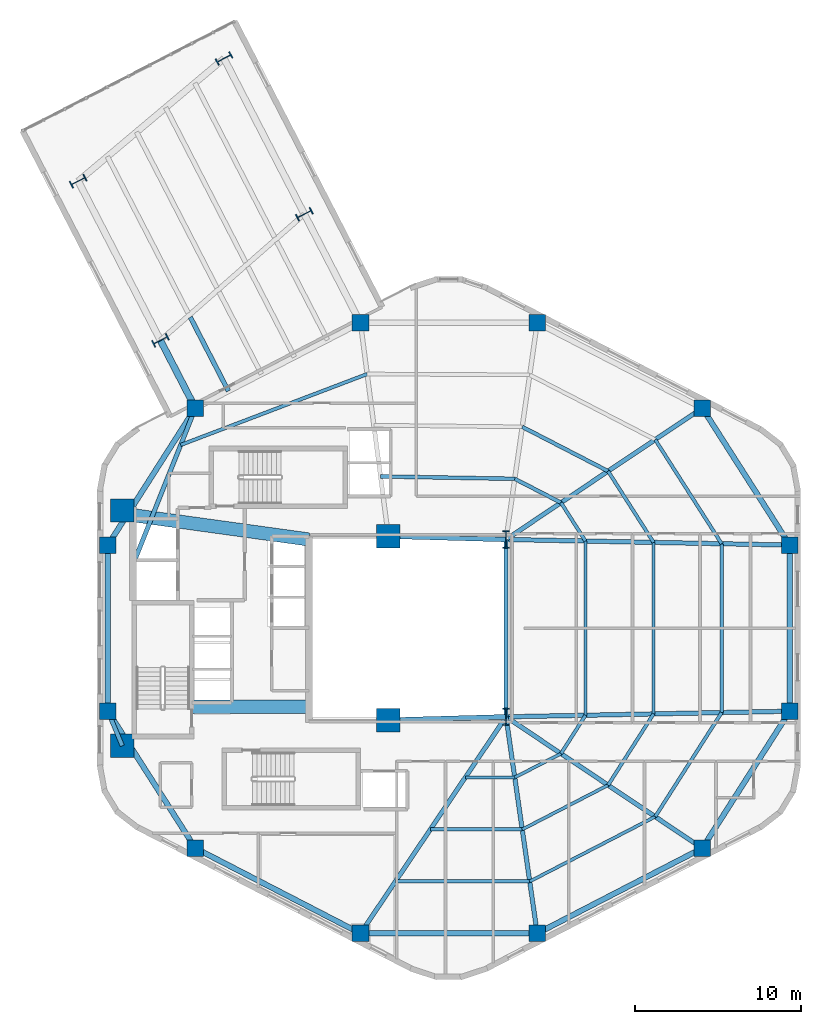
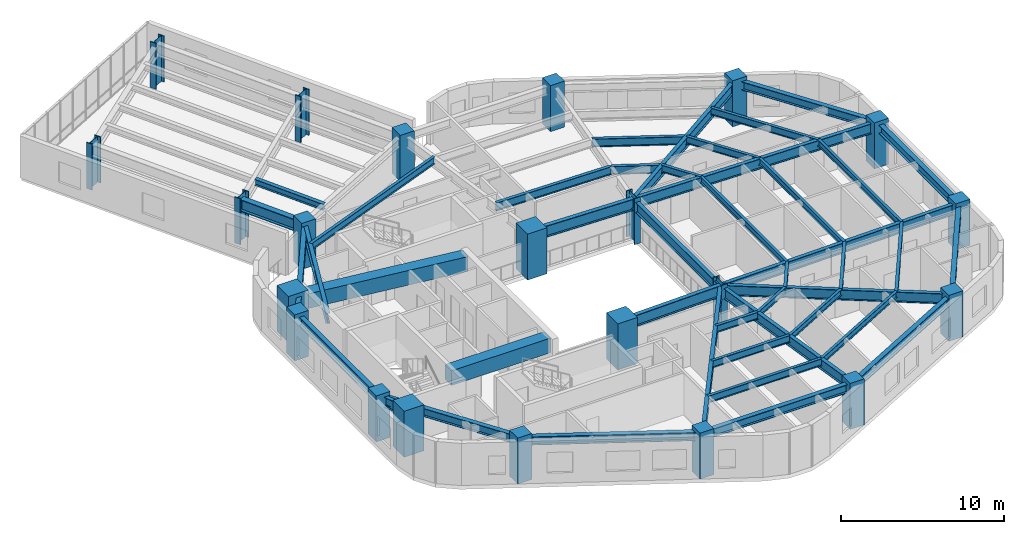
# One storey, part 1 of 10: 43 beams, 22 columns.
"""IFC4 building model written with IfcOpenShell, lengths in metres."""

import ifcopenshell
import ifcopenshell.guid

model = None  # the IFC model being written
_history = None  # IfcOwnerHistory: only IFC2X3 demands one
_inside = {}  # id of a spatial element -> (the spatial element, [elements in it])
_under = {}  # id of a project, library or spatial element -> (it, [spatial elements below it])
_declared = {}  # id of a project -> (the project, [libraries it declares])
_typed = {}  # id of a type object -> (the type object, [elements of that type])
_made_of = {}  # id of a material, layer set ... -> (it, [elements and type objects made of it])


def new_model(schema):
    """Start an empty IFC model of exactly this schema.

    Asked for "IFC4X3", IfcOpenShell would pick the latest addendum, in which some entities
    have other attributes; the version numbers below select the first issue.
    IFC2X3 requires an IfcOwnerHistory on every rooted entity: one is made here for all.
    """
    global model, _history
    if schema == "IFC4X3":
        model = ifcopenshell.file(schema_version=(4, 3, 0, 0))
    else:
        model = ifcopenshell.file(schema=schema)
    _inside.clear()
    _under.clear()
    _declared.clear()
    _typed.clear()
    _made_of.clear()
    _history = None
    if model.schema == "IFC2X3":
        org = make("IfcOrganization", Name="unknown")
        user = make(
            "IfcPersonAndOrganization",
            ThePerson=make("IfcPerson", FamilyName="unknown"),
            TheOrganization=org,
        )
        app = make(
            "IfcApplication",
            ApplicationDeveloper=org,
            Version="unknown",
            ApplicationFullName="unknown",
            ApplicationIdentifier="unknown",
        )
        _history = make(
            "IfcOwnerHistory",
            OwningUser=user,
            OwningApplication=app,
            ChangeAction="ADDED",
            CreationDate=0,
        )
    return model


def make(cls, **values):
    """One entity of the class cls with the attributes given. An attribute that is None is left unset."""
    return model.create_entity(
        cls, **{name: value for name, value in values.items() if value is not None}
    )


def rooted(cls, **values):
    """An entity with a GlobalId (a new one), such as an element, a storey or a relation."""
    return make(cls, GlobalId=ifcopenshell.guid.new(), OwnerHistory=_history, **values)


def si_unit(unit_type, name, prefix=None):
    """IfcSIUnit, for example si_unit("LENGTHUNIT", "METRE", prefix="MILLI")."""
    return make("IfcSIUnit", UnitType=unit_type, Prefix=prefix, Name=name)


def assignment(units):
    """IfcUnitAssignment: the units of a project."""
    return None if units is None else make("IfcUnitAssignment", Units=units)


def point(xyz):
    """IfcCartesianPoint."""
    return None if xyz is None else make("IfcCartesianPoint", Coordinates=xyz)


def direction(xyz):
    """IfcDirection."""
    return None if xyz is None else make("IfcDirection", DirectionRatios=xyz)


def frame(location, z_axis=None, x_axis=None):
    """IfcAxis2Placement3D, a coordinate frame: its origin and axes. An axis left out is left unset."""
    return make(
        "IfcAxis2Placement3D",
        Location=point(location),
        Axis=direction(z_axis),
        RefDirection=direction(x_axis),
    )


def frame_2d(location, x_axis=None):
    """IfcAxis2Placement2D, a coordinate frame in the plane: its origin and x axis."""
    return make(
        "IfcAxis2Placement2D", Location=point(location), RefDirection=direction(x_axis)
    )


def origin():
    """The frame at (0, 0, 0) with its axes left unset."""
    return frame((0.0, 0.0, 0.0))


def origin_2d():
    """The frame at (0, 0) in the plane with its x axis left unset."""
    return frame_2d((0.0, 0.0))


def place(relative_to, where):
    """IfcLocalPlacement: puts the frame where relative to a parent placement (None: the world)."""
    return make(
        "IfcLocalPlacement", PlacementRelTo=relative_to, RelativePlacement=where
    )


def context(
    kind, dimensions, precision=None, world=None, true_north=None, identifier=None
):
    """IfcGeometricRepresentationContext, for example the 3D "Model" context."""
    return make(
        "IfcGeometricRepresentationContext",
        ContextIdentifier=identifier,
        ContextType=kind,
        CoordinateSpaceDimension=dimensions,
        Precision=precision,
        WorldCoordinateSystem=world,
        TrueNorth=true_north,
    )


def subcontext(parent, identifier, kind, view, scale=None):
    """IfcGeometricRepresentationSubContext, for example "Body" below "Model"."""
    return make(
        "IfcGeometricRepresentationSubContext",
        ContextIdentifier=identifier,
        ContextType=kind,
        ParentContext=parent,
        TargetScale=scale,
        TargetView=view,
    )


def project(units=None, contexts=None):
    """IfcProject with its units and contexts."""
    return rooted(
        "IfcProject",
        Name="project",
        RepresentationContexts=contexts,
        UnitsInContext=assignment(units),
    )


def spatial(cls, under=None, at=None, **own):
    """A site, building, storey or space (cls), placed at a placement, below another one or the project."""
    s = rooted(cls, ObjectPlacement=at, **own)
    if under is not None:
        _under.setdefault(under.id(), (under, []))[1].append(s)
    return s


def profile(cls, at=None, kind="AREA", **sizes):
    """A parametric profile (cls). Its sizes go by their IFC names, for example OverallWidth=200.0."""
    return make(cls, ProfileType=kind, Position=at, **sizes)


def rectangle(**sizes):
    """IfcRectangleProfileDef."""
    return profile("IfcRectangleProfileDef", **sizes)


def i_section(**sizes):
    """IfcIShapeProfileDef."""
    return profile("IfcIShapeProfileDef", **sizes)


def extrude(swept, where, along, depth):
    """IfcExtrudedAreaSolid: the profile swept, set in the frame where, extruded along a direction by depth."""
    return make(
        "IfcExtrudedAreaSolid",
        SweptArea=swept,
        Position=where,
        ExtrudedDirection=direction(along),
        Depth=depth,
    )


def shape(context_of_items, identifier, shape_type, items):
    """IfcShapeRepresentation: the items that make up one representation, for example the "Body"."""
    return make(
        "IfcShapeRepresentation",
        ContextOfItems=context_of_items,
        RepresentationIdentifier=identifier,
        RepresentationType=shape_type,
        Items=items,
    )


def material(Name=None, Category=None):
    """IfcMaterial."""
    return make("IfcMaterial", Name=Name, Category=Category)


def material_profile(
    of_material, cross_section, Name=None, Category=None, Priority=None
):
    """IfcMaterialProfile: a cross section and its material."""
    return make(
        "IfcMaterialProfile",
        Name=Name,
        Material=of_material,
        Profile=cross_section,
        Priority=Priority,
        Category=Category,
    )


def profile_set(profiles, Name=None, composite=None):
    """IfcMaterialProfileSet."""
    return make(
        "IfcMaterialProfileSet",
        Name=Name,
        MaterialProfiles=profiles,
        CompositeProfile=composite,
    )


def made_of(thing, what):
    """Note that an element or type object is made of a material, layer set ...; save() writes the relation."""
    if what is not None:
        _made_of.setdefault(what.id(), (what, []))[1].append(thing)
    return thing


def type_object(cls, material=None, **own):
    """A type object (cls), such as IfcWallType, which elements share."""
    return made_of(rooted(cls, **own), material)


def element(
    cls,
    number,
    at=None,
    inside=None,
    cuts=None,
    type_object=None,
    material=None,
    context=None,
    identifier="Body",
    shape_type=None,
    held_by="IfcProductDefinitionShape",
    body=None,
    shapes=None,
    **own,
):
    """One element of the class cls, such as IfcWall. Its Tag is "e" and its number.

    at: its placement. inside: the storey or other place that contains it. cuts: it is an
    opening in that element (IfcRelVoidsElement). A single representation is given by context,
    identifier, shape_type and body (its items); several are given by shapes. held_by: the class
    of the entity that holds the representations. save() writes the other relations.
    """
    e = rooted(cls, Tag="e%d" % number, ObjectPlacement=at, **own)
    if body is not None:
        shapes = [shape(context, identifier, shape_type, body)]
    if shapes is not None:
        e.Representation = make(held_by, Representations=shapes)
    if inside is not None:
        _inside.setdefault(inside.id(), (inside, []))[1].append(e)
    if cuts is not None:
        rooted(
            "IfcRelVoidsElement", RelatingBuildingElement=cuts, RelatedOpeningElement=e
        )
    if type_object is not None:
        _typed.setdefault(type_object.id(), (type_object, []))[1].append(e)
    return made_of(e, material)


def aggregate(whole, parts):
    """IfcRelAggregates: a whole, such as a stair, and the parts it consists of."""
    return rooted("IfcRelAggregates", RelatingObject=whole, RelatedObjects=parts)


def save(model, path):
    """Write the relations noted so far, then the file.

    IfcRelAggregates (storeys below a building ...), IfcRelContainedInSpatialStructure (elements
    in a storey), IfcRelDefinesByType, IfcRelAssociatesMaterial and IfcRelDeclares: one each for
    every whole, place, type object, material and project.
    """
    for whole, parts in _under.values():
        aggregate(whole, parts)
    for where, things in _inside.values():
        rooted(
            "IfcRelContainedInSpatialStructure",
            RelatedElements=things,
            RelatingStructure=where,
        )
    for kind, things in _typed.values():
        rooted("IfcRelDefinesByType", RelatedObjects=things, RelatingType=kind)
    for what, things in _made_of.values():
        rooted("IfcRelAssociatesMaterial", RelatedObjects=things, RelatingMaterial=what)
    for by, libraries in _declared.values():
        rooted("IfcRelDeclares", RelatingContext=by, RelatedDefinitions=libraries)
    model.write(path)


model = new_model("IFC4")

# Units and contexts
model_context = context("Model", 3, precision=1e-05, world=origin(), true_north=direction((0.0, 1.0)))
body_context = subcontext(model_context, "Body", "Model", "MODEL_VIEW")
ifc_project = project(units=[si_unit("LENGTHUNIT", "METRE"), si_unit("AREAUNIT", "SQUARE_METRE"), si_unit("VOLUMEUNIT", "CUBIC_METRE"), si_unit("PLANEANGLEUNIT", "RADIAN"), si_unit("MASSUNIT", "GRAM", prefix="KILO"), si_unit("THERMODYNAMICTEMPERATUREUNIT", "KELVIN"), si_unit("POWERUNIT", "WATT")], contexts=[model_context])

# Site, building, storey
site_placement = place(None, origin())
site = spatial("IfcSite", under=ifc_project, at=site_placement, CompositionType="ELEMENT")
building_placement = place(site_placement, origin())
building = spatial("IfcBuilding", under=site, at=building_placement, Name="Skarre Station Tower", CompositionType="ELEMENT")
storey_placement = place(building_placement, frame((0.0, 0.0, 142.949951171875)))
storey = spatial("IfcBuildingStorey", under=building, at=storey_placement, Name="L38", CompositionType="ELEMENT", Elevation=142.949951171875)

# Columns
ifc_material_1 = material(Name="Concrete C60/75", Category="concrete")
ifc_material_profile_1 = material_profile(ifc_material_1, rectangle(XDim=1.0, YDim=1.0, at=origin_2d()), Name="Concrete C60/75")
ifc_profile_set_1 = profile_set([ifc_material_profile_1], Name="Concrete C60/75")
column_type_1 = type_object("IfcColumnType", Name="RC Structural Column RC-COL-1000X1000", PredefinedType="COLUMN", material=ifc_profile_set_1)
for number, where, z_axis, x_axis, name in (
    (1, (51.291015625, 37.277099609375, 0.0), (0.0, 0.0, 1.0), (1.0, 0.0, 0.0), "L38 Zone 2 Perimeter Column F0C1"),
    (2, (41.3310546875, 42.41796875, 0.0), (0.0, 0.0, 1.0), (1.0, 0.0, 0.0), "L38 Zone 2 Perimeter Column F0C2"),
    (3, (30.6689453125, 42.41796875, 0.0), (0.0, 0.0, 1.0), (1.0, 0.0, 0.0), "L38 Zone 2 Perimeter Column F1C1"),
    (4, (20.708984375, 37.277099609375, 0.0), (0.0, 0.0, 1.0), (1.0, 0.0, 0.0), "L38 Zone 2 Perimeter Column F1C2"),
    (5, (15.431884765625, 29.010986328125, 0.0), (0.0, 0.0, 1.0), (1.0, 0.0, 0.0), "L38 Zone 2 Perimeter Column F2C1"),
    (6, (15.431884765625, 18.989013671875, 0.0), (0.0, 0.0, 1.0), (1.0, 0.0, 0.0), "L38 Zone 2 Perimeter Column F2C2"),
    (7, (20.708984375, 10.722900390625, 0.0), (0.0, 0.0, 1.0), (1.0, 0.0, 0.0), "L38 Zone 2 Perimeter Column F3C1"),
    (8, (30.6689453125, 5.58203125, 0.0), (0.0, 0.0, 1.0), (1.0, 0.0, 0.0), "L38 Zone 2 Perimeter Column F3C2"),
    (9, (41.3310546875, 5.58203125, 0.0), (0.0, 0.0, 1.0), (1.0, 0.0, 0.0), "L38 Zone 2 Perimeter Column F4C1"),
    (10, (51.291015625, 10.722900390625, 0.0), (0.0, 0.0, 1.0), (1.0, 0.0, 0.0), "L38 Zone 2 Perimeter Column F4C2"),
    (11, (56.568115234375, 18.989013671875, 0.0), (0.0, 0.0, 1.0), (1.0, 0.0, 0.0), "L38 Zone 2 Perimeter Column F5C1"),
    (12, (56.568115234375, 29.010986328125, 0.0), (0.0, 0.0, 1.0), (1.0, 0.0, 0.0), "L38 Zone 2 Perimeter Column F5C2"),
):
    element("IfcColumn", number, at=place(storey_placement, frame(where, z_axis=z_axis, x_axis=x_axis)), inside=storey, type_object=column_type_1, Name=name, PredefinedType="COLUMN", context=body_context, shape_type="SweptSolid", body=[
        extrude(rectangle(XDim=1.0, YDim=1.0, at=origin_2d()), origin(), (0.0, 0.0, 1.0), 3.449951171875),
    ])
ifc_material_2 = material(Name="Concrete C70/85", Category="concrete")
ifc_material_profile_2 = material_profile(ifc_material_2, rectangle(XDim=1.39990234375, YDim=1.39990234375, at=origin_2d()), Name="Concrete C70/85")
ifc_profile_set_2 = profile_set([ifc_material_profile_2], Name="Concrete C70/85")
column_type_2 = type_object("IfcColumnType", Name="RC Structural Column RC-COL-1400X1400", PredefinedType="COLUMN", material=ifc_profile_set_2)
for number, where, z_axis, x_axis, name in (
    (13, (16.300048828125, 16.89990234375, 0.0), (0.0, 0.0, 1.0), (1.0, 0.0, 0.0), "L38 Core Column CC-SW"),
    (14, (16.300048828125, 31.10009765625, 0.0), (0.0, 0.0, 1.0), (1.0, 0.0, 0.0), "L38 Core Column CC-NW"),
    (15, (32.35009765625, 18.449951171875, 0.0), (0.0, 0.0, 1.0), (1.0, 0.0, 0.0), "L38 Core Column CC-SE"),
    (16, (32.35009765625, 29.550048828125, 0.0), (0.0, 0.0, 1.0), (1.0, 0.0, 0.0), "L38 Core Column CC-NE"),
):
    element("IfcColumn", number, at=place(storey_placement, frame(where, z_axis=z_axis, x_axis=x_axis)), inside=storey, type_object=column_type_2, Name=name, PredefinedType="COLUMN", context=body_context, shape_type="SweptSolid", body=[
        extrude(rectangle(XDim=1.39990234375, YDim=1.39990234375, at=origin_2d()), origin(), (0.0, 0.0, 1.0), 3.449951171875),
    ])
ifc_material_3 = material(Name="Steel ASTM A913 Grade 65", Category="steel")
ifc_material_profile_3 = material_profile(ifc_material_3, i_section(OverallWidth=0.430908203125, OverallDepth=0.987060546875, WebThickness=0.033935546875, FlangeThickness=0.06201171875, at=origin_2d()), Name="Steel ASTM A913 Grade 65")
ifc_profile_set_3 = profile_set([ifc_material_profile_3], Name="Steel ASTM A913 Grade 65")
column_type_3 = type_object("IfcColumnType", Name="Steel Column W36X441", PredefinedType="COLUMN", material=ifc_profile_set_3)
for number, where, z_axis, x_axis, name in (
    (17, (27.283935546875, 48.97607421875, 0.0), (0.0, 0.0, 1.0), (-0.458649554484, 0.888617232655, 0.0), "L38 SB-3 Sky-Bar Frame Column M1"),
    (18, (18.59912109375, 41.364990234375, 0.0), (0.0, 0.0, 1.0), (-0.458649554484, 0.888617232655, 0.0), "L38 SB-3 Sky-Bar Frame Column M2"),
    (19, (22.43603515625, 58.367919921875, 0.0), (0.0, 0.0, 1.0), (-0.458649554484, 0.888617232655, 0.0), "L38 SB-3 Sky-Bar Frame Column T1"),
    (20, (13.64111328125, 50.969970703125, 0.0), (0.0, 0.0, 1.0), (-0.458649554484, 0.888617232655, 0.0), "L38 SB-3 Sky-Bar Frame Column T2"),
):
    element("IfcColumn", number, at=place(storey_placement, frame(where, z_axis=z_axis, x_axis=x_axis)), inside=storey, type_object=column_type_3, Name=name, PredefinedType="COLUMN", context=body_context, shape_type="SweptSolid", body=[
        extrude(i_section(OverallWidth=0.430908203125, OverallDepth=0.987060546875, WebThickness=0.033935546875, FlangeThickness=0.06201171875, at=origin_2d()), origin(), (0.0, 0.0, 1.0), 3.449951171875),
    ])
ifc_material_profile_4 = material_profile(ifc_material_3, i_section(OverallWidth=0.409912109375, OverallDepth=1.041015625, WebThickness=0.031005859375, FlangeThickness=0.055908203125, at=origin_2d()), Name="Steel ASTM A913 Grade 65")
ifc_profile_set_4 = profile_set([ifc_material_profile_4], Name="Steel ASTM A913 Grade 65")
column_type_4 = type_object("IfcColumnType", Name="Steel Column W40X397", PredefinedType="COLUMN", material=ifc_profile_set_4)
for number, where, z_axis, x_axis, name in (
    (21, (39.449951171875, 18.64990234375, 0.0), (0.0, 0.0, 1.0), (1.0, 0.0, 0.0), "L38 Atrium Spine Column AC-SE"),
    (22, (39.449951171875, 29.35009765625, 0.0), (0.0, 0.0, 1.0), (1.0, 0.0, 0.0), "L38 Atrium Spine Column AC-NE"),
):
    element("IfcColumn", number, at=place(storey_placement, frame(where, z_axis=z_axis, x_axis=x_axis)), inside=storey, type_object=column_type_4, Name=name, PredefinedType="COLUMN", context=body_context, shape_type="SweptSolid", body=[
        extrude(i_section(OverallWidth=0.409912109375, OverallDepth=1.041015625, WebThickness=0.031005859375, FlangeThickness=0.055908203125, at=origin_2d()), origin(), (0.0, 0.0, 1.0), 3.449951171875),
    ])

# Beams
ifc_material_profile_5 = material_profile(ifc_material_2, rectangle(XDim=0.800048828125, YDim=1.10009765625, at=origin_2d()), Name="Concrete C70/85")
ifc_profile_set_5 = profile_set([ifc_material_profile_5], Name="Concrete C70/85")
beam_type_1 = type_object("IfcBeamType", Name="RC Core Coupling Lintel 800x1100", PredefinedType="LINTEL", material=ifc_profile_set_5)
beam_1_placement = place(storey_placement, frame((20.489990234375, 19.260009765625, 2.610107421875), z_axis=(1.0, 0.0, 0.0), x_axis=(0.0, 1.0, 0.0)))
element("IfcBeam", 23, at=beam_1_placement, inside=storey, type_object=beam_type_1, Name="L38 South Core Coupling Lintel", PredefinedType="LINTEL", context=body_context, shape_type="SweptSolid", body=[
    extrude(rectangle(XDim=0.800048828125, YDim=1.10009765625, at=origin_2d()), origin(), (0.0, 0.0, 1.0), 7.06005859375),
])
beam_2_placement = place(storey_placement, frame((17.050048828125, 30.800048828125, 2.610107421875), z_axis=(0.990599723633, -0.136792498109, 0.0), x_axis=(0.136792498109, 0.990599723633, 0.0)))
element("IfcBeam", 24, at=beam_2_placement, inside=storey, type_object=beam_type_1, Name="L38 North Core Coupling Lintel", PredefinedType="LINTEL", context=body_context, shape_type="SweptSolid", body=[
    extrude(rectangle(XDim=0.800048828125, YDim=1.10009765625, at=origin_2d()), origin(), (0.0, 0.0, 1.0), 10.599609375),
])
ifc_material_4 = material(Name="Steel ASTM A992 Grade 50", Category="steel")
ifc_material_profile_6 = material_profile(ifc_material_4, i_section(OverallWidth=0.26806640625, OverallDepth=0.77001953125, WebThickness=0.01611328125, FlangeThickness=0.02490234375, at=origin_2d()), Name="Steel ASTM A992 Grade 50")
ifc_profile_set_6 = profile_set([ifc_material_profile_6], Name="Steel ASTM A992 Grade 50")
beam_type_2 = type_object("IfcBeamType", Name="Steel Beam W30X132", PredefinedType="BEAM", material=ifc_profile_set_6)
beam_3_placement = place(storey_placement, frame((39.449951171875, 18.64990234375, 2.775146484375), z_axis=(0.0, 1.0, 0.0), x_axis=(-1.0, 0.0, 0.0)))
element("IfcBeam", 25, at=beam_3_placement, inside=storey, type_object=beam_type_2, Name="L38 Atrium East Edge Girder", PredefinedType="BEAM", context=body_context, shape_type="SweptSolid", body=[
    extrude(i_section(OverallWidth=0.26806640625, OverallDepth=0.77001953125, WebThickness=0.01611328125, FlangeThickness=0.02490234375, at=origin_2d()), origin(), (0.0, 0.0, 1.0), 10.7001953125),
])
beam_4_placement = place(storey_placement, frame((39.449951171875, 29.35009765625, 2.775146484375), z_axis=(0.830981218317, 0.556300471692, 0.0), x_axis=(-0.556300471692, 0.830981218317, 0.0)))
element("IfcBeam", 26, at=beam_4_placement, inside=storey, type_object=beam_type_2, Name="L38 Radial Floor Girder F0C1", PredefinedType="BEAM", context=body_context, shape_type="SweptSolid", body=[
    extrude(i_section(OverallWidth=0.26806640625, OverallDepth=0.77001953125, WebThickness=0.01611328125, FlangeThickness=0.02490234375, at=origin_2d()), origin(), (0.0, 0.0, 1.0), 14.24951171875),
])
beam_5_placement = place(storey_placement, frame((17.010009765625, 28.0, 2.775146484375), z_axis=(0.370366288946, 0.928885790618, 0.0), x_axis=(-0.928885790618, 0.370366288946, 0.0)))
element("IfcBeam", 27, at=beam_5_placement, inside=storey, type_object=beam_type_2, Name="L38 Radial Floor Girder F1C2", PredefinedType="BEAM", context=body_context, shape_type="SweptSolid", body=[
    extrude(i_section(OverallWidth=0.26806640625, OverallDepth=0.77001953125, WebThickness=0.01611328125, FlangeThickness=0.02490234375, at=origin_2d()), origin(), (0.0, 0.0, 1.0), 9.9873046875),
])
beam_6_placement = place(storey_placement, frame((16.300048828125, 16.89990234375, 2.775146484375), z_axis=(-0.383749333092, 0.923437301256, 0.0), x_axis=(-0.923437301256, -0.383749333092, 0.0)))
element("IfcBeam", 28, at=beam_6_placement, inside=storey, type_object=beam_type_2, Name="L38 Radial Floor Girder F2C2", PredefinedType="BEAM", context=body_context, shape_type="SweptSolid", body=[
    extrude(i_section(OverallWidth=0.26806640625, OverallDepth=0.77001953125, WebThickness=0.01611328125, FlangeThickness=0.02490234375, at=origin_2d()), origin(), (0.0, 0.0, 1.0), 2.26220703125),
])
beam_7_placement = place(storey_placement, frame((39.449951171875, 18.64990234375, 2.775146484375), z_axis=(-0.55773464691, -0.830019315219, 0.0), x_axis=(0.830019315219, -0.55773464691, 0.0)))
element("IfcBeam", 29, at=beam_7_placement, inside=storey, type_object=beam_type_2, Name="L38 Radial Floor Girder F3C2", PredefinedType="BEAM", context=body_context, shape_type="SweptSolid", body=[
    extrude(i_section(OverallWidth=0.26806640625, OverallDepth=0.77001953125, WebThickness=0.01611328125, FlangeThickness=0.02490234375, at=origin_2d()), origin(), (0.0, 0.0, 1.0), 15.744140625),
])
beam_8_placement = place(storey_placement, frame((39.449951171875, 18.64990234375, 2.775146484375), z_axis=(0.142480121776, -0.989797663616, 0.0), x_axis=(0.989797663616, 0.142480121776, 0.0)))
element("IfcBeam", 30, at=beam_8_placement, inside=storey, type_object=beam_type_2, Name="L38 Radial Floor Girder F4C1", PredefinedType="BEAM", context=body_context, shape_type="SweptSolid", body=[
    extrude(i_section(OverallWidth=0.26806640625, OverallDepth=0.77001953125, WebThickness=0.01611328125, FlangeThickness=0.02490234375, at=origin_2d()), origin(), (0.0, 0.0, 1.0), 13.20263671875),
])
beam_9_placement = place(storey_placement, frame((39.449951171875, 18.64990234375, 2.775146484375), z_axis=(0.830981218317, -0.556300471692, 0.0), x_axis=(0.556300471692, 0.830981218317, 0.0)))
element("IfcBeam", 31, at=beam_9_placement, inside=storey, type_object=beam_type_2, Name="L38 Radial Floor Girder F4C2", PredefinedType="BEAM", context=body_context, shape_type="SweptSolid", body=[
    extrude(i_section(OverallWidth=0.26806640625, OverallDepth=0.77001953125, WebThickness=0.01611328125, FlangeThickness=0.02490234375, at=origin_2d()), origin(), (0.0, 0.0, 1.0), 14.24951171875),
])
for number, where, z_axis, x_axis, name in (
    (32, (39.449951171875, 18.64990234375, 2.775146484375), (0.999803839107, 0.019806143142, 0.0), (-0.019806143142, 0.999803839107, 0.0), "L38 Radial Floor Girder F5C1"),
    (33, (39.449951171875, 29.35009765625, 2.775146484375), (0.999803839107, -0.019806143142, 0.0), (0.019806143142, 0.999803839107, 0.0), "L38 Radial Floor Girder F5C2"),
):
    element("IfcBeam", number, at=place(storey_placement, frame(where, z_axis=z_axis, x_axis=x_axis)), inside=storey, type_object=beam_type_2, Name=name, PredefinedType="BEAM", context=body_context, shape_type="SweptSolid", body=[
        extrude(i_section(OverallWidth=0.26806640625, OverallDepth=0.77001953125, WebThickness=0.01611328125, FlangeThickness=0.02490234375, at=origin_2d()), origin(), (0.0, 0.0, 1.0), 17.12158203125),
    ])
ifc_material_profile_7 = material_profile(ifc_material_4, i_section(OverallWidth=0.2919921875, OverallDepth=0.85888671875, WebThickness=0.01708984375, FlangeThickness=0.031005859375, at=origin_2d()), Name="Steel ASTM A992 Grade 50")
ifc_profile_set_7 = profile_set([ifc_material_profile_7], Name="Steel ASTM A992 Grade 50")
beam_type_3 = type_object("IfcBeamType", Name="Steel Beam W33X169", PredefinedType="BEAM", material=ifc_profile_set_7)
for number, where, z_axis, x_axis, name in (
    (34, (32.35009765625, 18.449951171875, 2.73095703125), (0.999603666405, 0.028151556095, 0.0), (-0.028151556095, 0.999603666405, 0.0), "L38 Atrium South Edge Girder"),
    (35, (32.35009765625, 29.550048828125, 2.73095703125), (0.999603666405, -0.028151556095, 0.0), (0.028151556095, 0.999603666405, 0.0), "L38 Atrium North Edge Girder"),
):
    element("IfcBeam", number, at=place(storey_placement, frame(where, z_axis=z_axis, x_axis=x_axis)), inside=storey, type_object=beam_type_3, Name=name, PredefinedType="BEAM", context=body_context, shape_type="SweptSolid", body=[
        extrude(i_section(OverallWidth=0.2919921875, OverallDepth=0.85888671875, WebThickness=0.01708984375, FlangeThickness=0.031005859375, at=origin_2d()), origin(), (0.0, 0.0, 1.0), 7.102783203125),
    ])
ifc_material_profile_8 = material_profile(ifc_material_4, i_section(OverallWidth=0.40087890625, OverallDepth=0.876953125, WebThickness=0.02197265625, FlangeThickness=0.0400390625, at=origin_2d()), Name="Steel ASTM A992 Grade 50")
ifc_profile_set_8 = profile_set([ifc_material_profile_8], Name="Steel ASTM A992 Grade 50")
beam_type_4 = type_object("IfcBeamType", Name="Steel Beam W33X263", PredefinedType="BEAM", material=ifc_profile_set_8)
beam_10_placement = place(storey_placement, frame((20.708984375, 37.277099609375, 2.72216796875), z_axis=(-0.458640216065, 0.88862205251, 0.0), x_axis=(-0.88862205251, -0.458640216065, 0.0)))
element("IfcBeam", 36, at=beam_10_placement, inside=storey, type_object=beam_type_4, Name="L38 SB-3 Side 2 Inner Girder", PredefinedType="BEAM", context=body_context, shape_type="SweptSolid", body=[
    extrude(i_section(OverallWidth=0.40087890625, OverallDepth=0.876953125, WebThickness=0.02197265625, FlangeThickness=0.0400390625, at=origin_2d()), origin(), (0.0, 0.0, 1.0), 4.600341796875),
])
ifc_material_profile_9 = material_profile(ifc_material_4, i_section(OverallWidth=0.19091796875, OverallDepth=0.45703125, WebThickness=0.009033203125, FlangeThickness=0.013916015625, at=origin_2d()), Name="Steel ASTM A992 Grade 50")
ifc_profile_set_9 = profile_set([ifc_material_profile_9], Name="Steel ASTM A992 Grade 50")
beam_type_5 = type_object("IfcBeamType", Name="Steel Joist W18X50", PredefinedType="JOIST", material=ifc_profile_set_9)
beam_11_placement = place(storey_placement, frame((39.97705078125, 14.990966796875, 2.93212890625), z_axis=(0.88861042596, 0.458662741975, 0.0), x_axis=(-0.458662741975, 0.88861042596, 0.0)))
element("IfcBeam", 37, at=beam_11_placement, inside=storey, type_object=beam_type_5, Name="L38 Auxiliary Composite Joist 13", PredefinedType="JOIST", context=body_context, shape_type="SweptSolid", body=[
    extrude(i_section(OverallWidth=0.19091796875, OverallDepth=0.45703125, WebThickness=0.009033203125, FlangeThickness=0.013916015625, at=origin_2d()), origin(), (0.0, 0.0, 1.0), 3.13720703125),
])
beam_12_placement = place(storey_placement, frame((40.427978515625, 11.85498046875, 2.93212890625), z_axis=(0.888614598919, 0.458654657218, 0.0), x_axis=(-0.458654657218, 0.888614598919, 0.0)))
element("IfcBeam", 38, at=beam_12_placement, inside=storey, type_object=beam_type_5, Name="L38 Auxiliary Composite Joist 14", PredefinedType="JOIST", context=body_context, shape_type="SweptSolid", body=[
    extrude(i_section(OverallWidth=0.19091796875, OverallDepth=0.45703125, WebThickness=0.009033203125, FlangeThickness=0.013916015625, at=origin_2d()), origin(), (0.0, 0.0, 1.0), 5.828125),
])
beam_13_placement = place(storey_placement, frame((40.8798828125, 8.718017578125, 2.93212890625), z_axis=(0.888603699553, 0.45867577344, 0.0), x_axis=(-0.45867577344, 0.888603699553, 0.0)))
element("IfcBeam", 39, at=beam_13_placement, inside=storey, type_object=beam_type_5, Name="L38 Auxiliary Composite Joist 15", PredefinedType="JOIST", context=body_context, shape_type="SweptSolid", body=[
    extrude(i_section(OverallWidth=0.19091796875, OverallDepth=0.45703125, WebThickness=0.009033203125, FlangeThickness=0.013916015625, at=origin_2d()), origin(), (0.0, 0.0, 1.0), 8.51806640625),
])
beam_14_placement = place(storey_placement, frame((44.242919921875, 18.7451171875, 2.93212890625), z_axis=(0.0, 1.0, 0.0), x_axis=(-1.0, 0.0, 0.0)))
element("IfcBeam", 40, at=beam_14_placement, inside=storey, type_object=beam_type_5, Name="L38 Auxiliary Composite Joist 19", PredefinedType="JOIST", context=body_context, shape_type="SweptSolid", body=[
    extrude(i_section(OverallWidth=0.19091796875, OverallDepth=0.45703125, WebThickness=0.009033203125, FlangeThickness=0.013916015625, at=origin_2d()), origin(), (0.0, 0.0, 1.0), 10.509765625),
])
beam_15_placement = place(storey_placement, frame((48.35107421875, 18.825927734375, 2.93212890625), z_axis=(0.0, 1.0, 0.0), x_axis=(-1.0, 0.0, 0.0)))
element("IfcBeam", 41, at=beam_15_placement, inside=storey, type_object=beam_type_5, Name="L38 Auxiliary Composite Joist 20", PredefinedType="JOIST", context=body_context, shape_type="SweptSolid", body=[
    extrude(i_section(OverallWidth=0.19091796875, OverallDepth=0.45703125, WebThickness=0.009033203125, FlangeThickness=0.013916015625, at=origin_2d()), origin(), (0.0, 0.0, 1.0), 10.34814453125),
])
beam_16_placement = place(storey_placement, frame((52.4599609375, 18.907958984375, 2.93212890625), z_axis=(0.0, 1.0, 0.0), x_axis=(-1.0, 0.0, 0.0)))
element("IfcBeam", 42, at=beam_16_placement, inside=storey, type_object=beam_type_5, Name="L38 Auxiliary Composite Joist 21", PredefinedType="JOIST", context=body_context, shape_type="SweptSolid", body=[
    extrude(i_section(OverallWidth=0.19091796875, OverallDepth=0.45703125, WebThickness=0.009033203125, FlangeThickness=0.013916015625, at=origin_2d()), origin(), (0.0, 0.0, 1.0), 10.18408203125),
])
ifc_material_profile_10 = material_profile(ifc_material_4, i_section(OverallWidth=0.280029296875, OverallDepth=0.462890625, WebThickness=0.010986328125, FlangeThickness=0.01708984375, at=origin_2d()), Name="Steel ASTM A992 Grade 50")
ifc_profile_set_10 = profile_set([ifc_material_profile_10], Name="Steel ASTM A992 Grade 50")
beam_type_6 = type_object("IfcBeamType", Name="Steel Joist W18X76", PredefinedType="JOIST", material=ifc_profile_set_10)
beam_17_placement = place(storey_placement, frame((22.700927734375, 38.304931640625, 2.928955078125), z_axis=(-0.458632994069, 0.888625779927, 0.0), x_axis=(-0.888625779927, -0.458632994069, 0.0)))
element("IfcBeam", 43, at=beam_17_placement, inside=storey, type_object=beam_type_6, Name="L38 SB-3 Inner Deck Joist 4", PredefinedType="JOIST", context=body_context, shape_type="SweptSolid", body=[
    extrude(i_section(OverallWidth=0.280029296875, OverallDepth=0.462890625, WebThickness=0.010986328125, FlangeThickness=0.01708984375, at=origin_2d()), origin(), (0.0, 0.0, 1.0), 5.012451171875),
])
ifc_material_profile_11 = material_profile(ifc_material_4, i_section(OverallWidth=0.208984375, OverallDepth=0.532958984375, WebThickness=0.010009765625, FlangeThickness=0.01611328125, at=origin_2d()), Name="Steel ASTM A992 Grade 50")
ifc_profile_set_11 = profile_set([ifc_material_profile_11], Name="Steel ASTM A992 Grade 50")
beam_type_7 = type_object("IfcBeamType", Name="Steel Joist W21X62", PredefinedType="JOIST", material=ifc_profile_set_11)
beam_18_placement = place(storey_placement, frame((31.072021484375, 39.330078125, 2.89404296875), z_axis=(-0.934681982826, -0.355485008094, 0.0), x_axis=(0.355485008094, -0.934681982826, 0.0)))
element("IfcBeam", 44, at=beam_18_placement, inside=storey, type_object=beam_type_7, Name="L38 Auxiliary Composite Joist 9", PredefinedType="JOIST", context=body_context, shape_type="SweptSolid", body=[
    extrude(i_section(OverallWidth=0.208984375, OverallDepth=0.532958984375, WebThickness=0.010009765625, FlangeThickness=0.01611328125, at=origin_2d()), origin(), (0.0, 0.0, 1.0), 12.037109375),
])
beam_19_placement = place(storey_placement, frame((36.990966796875, 14.990966796875, 2.89404296875), z_axis=(1.0, 0.0, 0.0), x_axis=(0.0, 1.0, 0.0)))
element("IfcBeam", 45, at=beam_19_placement, inside=storey, type_object=beam_type_7, Name="L38 Auxiliary Composite Joist 10", PredefinedType="JOIST", context=body_context, shape_type="SweptSolid", body=[
    extrude(i_section(OverallWidth=0.208984375, OverallDepth=0.532958984375, WebThickness=0.010009765625, FlangeThickness=0.01611328125, at=origin_2d()), origin(), (0.0, 0.0, 1.0), 2.986083984375),
])
beam_20_placement = place(storey_placement, frame((34.884033203125, 11.85498046875, 2.89404296875), z_axis=(1.0, 0.0, 0.0), x_axis=(0.0, 1.0, 0.0)))
element("IfcBeam", 46, at=beam_20_placement, inside=storey, type_object=beam_type_7, Name="L38 Auxiliary Composite Joist 11", PredefinedType="JOIST", context=body_context, shape_type="SweptSolid", body=[
    extrude(i_section(OverallWidth=0.208984375, OverallDepth=0.532958984375, WebThickness=0.010009765625, FlangeThickness=0.01611328125, at=origin_2d()), origin(), (0.0, 0.0, 1.0), 5.5439453125),
])
beam_21_placement = place(storey_placement, frame((32.77587890625, 8.718017578125, 2.89404296875), z_axis=(1.0, 0.0, 0.0), x_axis=(0.0, 1.0, 0.0)))
element("IfcBeam", 47, at=beam_21_placement, inside=storey, type_object=beam_type_7, Name="L38 Auxiliary Composite Joist 12", PredefinedType="JOIST", context=body_context, shape_type="SweptSolid", body=[
    extrude(i_section(OverallWidth=0.208984375, OverallDepth=0.532958984375, WebThickness=0.010009765625, FlangeThickness=0.01611328125, at=origin_2d()), origin(), (0.0, 0.0, 1.0), 8.10400390625),
])
beam_22_placement = place(storey_placement, frame((42.764892578125, 16.429931640625, 2.89404296875), z_axis=(0.538099948257, 0.84288103887, 0.0), x_axis=(-0.84288103887, 0.538099948257, 0.0)))
element("IfcBeam", 48, at=beam_22_placement, inside=storey, type_object=beam_type_7, Name="L38 Auxiliary Composite Joist 16", PredefinedType="JOIST", context=body_context, shape_type="SweptSolid", body=[
    extrude(i_section(OverallWidth=0.208984375, OverallDepth=0.532958984375, WebThickness=0.010009765625, FlangeThickness=0.01611328125, at=origin_2d()), origin(), (0.0, 0.0, 1.0), 2.746826171875),
])
beam_23_placement = place(storey_placement, frame((45.60693359375, 14.528076171875, 2.89404296875), z_axis=(0.538151254938, 0.842848282201, 0.0), x_axis=(-0.842848282201, 0.538151254938, 0.0)))
element("IfcBeam", 49, at=beam_23_placement, inside=storey, type_object=beam_type_7, Name="L38 Auxiliary Composite Joist 17", PredefinedType="JOIST", context=body_context, shape_type="SweptSolid", body=[
    extrude(i_section(OverallWidth=0.208984375, OverallDepth=0.532958984375, WebThickness=0.010009765625, FlangeThickness=0.01611328125, at=origin_2d()), origin(), (0.0, 0.0, 1.0), 5.09912109375),
])
beam_24_placement = place(storey_placement, frame((48.448974609375, 12.625, 2.89404296875), z_axis=(0.53809140179, 0.842886494921, 0.0), x_axis=(-0.842886494921, 0.53809140179, 0.0)))
element("IfcBeam", 50, at=beam_24_placement, inside=storey, type_object=beam_type_7, Name="L38 Auxiliary Composite Joist 18", PredefinedType="JOIST", context=body_context, shape_type="SweptSolid", body=[
    extrude(i_section(OverallWidth=0.208984375, OverallDepth=0.532958984375, WebThickness=0.010009765625, FlangeThickness=0.01611328125, at=origin_2d()), origin(), (0.0, 0.0, 1.0), 7.4541015625),
])
beam_25_placement = place(storey_placement, frame((44.242919921875, 29.2548828125, 2.89404296875), z_axis=(-0.538099948257, 0.84288103887, 0.0), x_axis=(-0.84288103887, -0.538099948257, 0.0)))
element("IfcBeam", 51, at=beam_25_placement, inside=storey, type_object=beam_type_7, Name="L38 Auxiliary Composite Joist 22", PredefinedType="JOIST", context=body_context, shape_type="SweptSolid", body=[
    extrude(i_section(OverallWidth=0.208984375, OverallDepth=0.532958984375, WebThickness=0.010009765625, FlangeThickness=0.01611328125, at=origin_2d()), origin(), (0.0, 0.0, 1.0), 2.746826171875),
])
beam_26_placement = place(storey_placement, frame((48.35107421875, 29.174072265625, 2.89404296875), z_axis=(-0.538151254938, 0.842848282201, 0.0), x_axis=(-0.842848282201, -0.538151254938, 0.0)))
element("IfcBeam", 52, at=beam_26_placement, inside=storey, type_object=beam_type_7, Name="L38 Auxiliary Composite Joist 23", PredefinedType="JOIST", context=body_context, shape_type="SweptSolid", body=[
    extrude(i_section(OverallWidth=0.208984375, OverallDepth=0.532958984375, WebThickness=0.010009765625, FlangeThickness=0.01611328125, at=origin_2d()), origin(), (0.0, 0.0, 1.0), 5.09912109375),
])
beam_27_placement = place(storey_placement, frame((52.4599609375, 29.092041015625, 2.89404296875), z_axis=(-0.53809140179, 0.842886494921, 0.0), x_axis=(-0.842886494921, -0.53809140179, 0.0)))
element("IfcBeam", 53, at=beam_27_placement, inside=storey, type_object=beam_type_7, Name="L38 Auxiliary Composite Joist 24", PredefinedType="JOIST", context=body_context, shape_type="SweptSolid", body=[
    extrude(i_section(OverallWidth=0.208984375, OverallDepth=0.532958984375, WebThickness=0.010009765625, FlangeThickness=0.01611328125, at=origin_2d()), origin(), (0.0, 0.0, 1.0), 7.4541015625),
])
ifc_material_profile_12 = material_profile(ifc_material_4, i_section(OverallWidth=0.22802734375, OverallDepth=0.60791015625, WebThickness=0.010986328125, FlangeThickness=0.01708984375, at=origin_2d()), Name="Steel ASTM A992 Grade 50")
ifc_profile_set_12 = profile_set([ifc_material_profile_12], Name="Steel ASTM A992 Grade 50")
beam_type_8 = type_object("IfcBeamType", Name="Steel Joist W24X76", PredefinedType="JOIST", material=ifc_profile_set_12)
beam_28_placement = place(storey_placement, frame((42.764892578125, 31.570068359375, 2.85595703125), z_axis=(-0.88861042596, 0.458662741975, 0.0), x_axis=(-0.458662741975, -0.88861042596, 0.0)))
element("IfcBeam", 54, at=beam_28_placement, inside=storey, type_object=beam_type_8, Name="L38 Secondary Floor Joist 1", PredefinedType="JOIST", context=body_context, shape_type="SweptSolid", body=[
    extrude(i_section(OverallWidth=0.22802734375, OverallDepth=0.60791015625, WebThickness=0.010986328125, FlangeThickness=0.01708984375, at=origin_2d()), origin(), (0.0, 0.0, 1.0), 3.13720703125),
])
beam_29_placement = place(storey_placement, frame((45.60693359375, 33.471923828125, 2.85595703125), z_axis=(-0.888614598919, 0.458654657218, 0.0), x_axis=(-0.458654657218, -0.888614598919, 0.0)))
element("IfcBeam", 55, at=beam_29_placement, inside=storey, type_object=beam_type_8, Name="L38 Secondary Floor Joist 2", PredefinedType="JOIST", context=body_context, shape_type="SweptSolid", body=[
    extrude(i_section(OverallWidth=0.22802734375, OverallDepth=0.60791015625, WebThickness=0.010986328125, FlangeThickness=0.01708984375, at=origin_2d()), origin(), (0.0, 0.0, 1.0), 5.828125),
])
beam_30_placement = place(storey_placement, frame((39.97705078125, 33.009033203125, 2.85595703125), z_axis=(-0.999841846049, 0.01778434396, 0.0), x_axis=(-0.01778434396, -0.999841846049, 0.0)))
element("IfcBeam", 56, at=beam_30_placement, inside=storey, type_object=beam_type_8, Name="L38 Secondary Floor Joist 4", PredefinedType="JOIST", context=body_context, shape_type="SweptSolid", body=[
    extrude(i_section(OverallWidth=0.22802734375, OverallDepth=0.60791015625, WebThickness=0.010986328125, FlangeThickness=0.01708984375, at=origin_2d()), origin(), (0.0, 0.0, 1.0), 8.099365234375),
])
ifc_material_profile_13 = material_profile(ifc_material_4, i_section(OverallWidth=0.327880859375, OverallDepth=0.6279296875, WebThickness=0.01708984375, FlangeThickness=0.028076171875, at=origin_2d()), Name="Steel ASTM A992 Grade 50")
ifc_profile_set_13 = profile_set([ifc_material_profile_13], Name="Steel ASTM A992 Grade 50")
beam_type_9 = type_object("IfcBeamType", Name="Steel Spandrel W24X146", PredefinedType="SPANDREL", material=ifc_profile_set_13)
beam_31_placement = place(storey_placement, frame((20.708984375, 37.277099609375, 2.845947265625), z_axis=(-0.538097547923, -0.842882571251, 0.0), x_axis=(0.842882571251, -0.538097547923, 0.0)))
element("IfcBeam", 57, at=beam_31_placement, inside=storey, type_object=beam_type_9, Name="L38 Facet Spandrel Beam 4", PredefinedType="SPANDREL", context=body_context, shape_type="SweptSolid", body=[
    extrude(i_section(OverallWidth=0.327880859375, OverallDepth=0.6279296875, WebThickness=0.01708984375, FlangeThickness=0.028076171875, at=origin_2d()), origin(), (0.0, 0.0, 1.0), 9.806884765625),
])
beam_32_placement = place(storey_placement, frame((15.431884765625, 29.010986328125, 2.845947265625), z_axis=(0.0, -1.0, 0.0), x_axis=(1.0, 0.0, 0.0)))
element("IfcBeam", 58, at=beam_32_placement, inside=storey, type_object=beam_type_9, Name="L38 Facet Spandrel Beam 5", PredefinedType="SPANDREL", context=body_context, shape_type="SweptSolid", body=[
    extrude(i_section(OverallWidth=0.327880859375, OverallDepth=0.6279296875, WebThickness=0.01708984375, FlangeThickness=0.028076171875, at=origin_2d()), origin(), (0.0, 0.0, 1.0), 10.02197265625),
])
beam_33_placement = place(storey_placement, frame((15.431884765625, 18.989013671875, 2.845947265625), z_axis=(0.538097547923, -0.842882571251, 0.0), x_axis=(0.842882571251, 0.538097547923, 0.0)))
element("IfcBeam", 59, at=beam_33_placement, inside=storey, type_object=beam_type_9, Name="L38 Facet Spandrel Beam 6", PredefinedType="SPANDREL", context=body_context, shape_type="SweptSolid", body=[
    extrude(i_section(OverallWidth=0.327880859375, OverallDepth=0.6279296875, WebThickness=0.01708984375, FlangeThickness=0.028076171875, at=origin_2d()), origin(), (0.0, 0.0, 1.0), 9.806884765625),
])
beam_34_placement = place(storey_placement, frame((20.708984375, 10.722900390625, 2.845947265625), z_axis=(0.888611779493, -0.458660119639, 0.0), x_axis=(0.458660119639, 0.888611779493, 0.0)))
element("IfcBeam", 60, at=beam_34_placement, inside=storey, type_object=beam_type_9, Name="L38 Facet Spandrel Beam 7", PredefinedType="SPANDREL", context=body_context, shape_type="SweptSolid", body=[
    extrude(i_section(OverallWidth=0.327880859375, OverallDepth=0.6279296875, WebThickness=0.01708984375, FlangeThickness=0.028076171875, at=origin_2d()), origin(), (0.0, 0.0, 1.0), 11.20849609375),
])
beam_35_placement = place(storey_placement, frame((30.6689453125, 5.58203125, 2.845947265625), z_axis=(1.0, 0.0, 0.0), x_axis=(0.0, 1.0, 0.0)))
element("IfcBeam", 61, at=beam_35_placement, inside=storey, type_object=beam_type_9, Name="L38 Facet Spandrel Beam 8", PredefinedType="SPANDREL", context=body_context, shape_type="SweptSolid", body=[
    extrude(i_section(OverallWidth=0.327880859375, OverallDepth=0.6279296875, WebThickness=0.01708984375, FlangeThickness=0.028076171875, at=origin_2d()), origin(), (0.0, 0.0, 1.0), 10.662109375),
])
beam_36_placement = place(storey_placement, frame((41.3310546875, 5.58203125, 2.845947265625), z_axis=(0.888611779493, 0.458660119639, 0.0), x_axis=(-0.458660119639, 0.888611779493, 0.0)))
element("IfcBeam", 62, at=beam_36_placement, inside=storey, type_object=beam_type_9, Name="L38 Facet Spandrel Beam 9", PredefinedType="SPANDREL", context=body_context, shape_type="SweptSolid", body=[
    extrude(i_section(OverallWidth=0.327880859375, OverallDepth=0.6279296875, WebThickness=0.01708984375, FlangeThickness=0.028076171875, at=origin_2d()), origin(), (0.0, 0.0, 1.0), 11.20849609375),
])
beam_37_placement = place(storey_placement, frame((51.291015625, 10.722900390625, 2.845947265625), z_axis=(0.538097547923, 0.842882571251, 0.0), x_axis=(-0.842882571251, 0.538097547923, 0.0)))
element("IfcBeam", 63, at=beam_37_placement, inside=storey, type_object=beam_type_9, Name="L38 Facet Spandrel Beam 10", PredefinedType="SPANDREL", context=body_context, shape_type="SweptSolid", body=[
    extrude(i_section(OverallWidth=0.327880859375, OverallDepth=0.6279296875, WebThickness=0.01708984375, FlangeThickness=0.028076171875, at=origin_2d()), origin(), (0.0, 0.0, 1.0), 9.806884765625),
])
beam_38_placement = place(storey_placement, frame((56.568115234375, 18.989013671875, 2.845947265625), z_axis=(0.0, 1.0, 0.0), x_axis=(-1.0, 0.0, 0.0)))
element("IfcBeam", 64, at=beam_38_placement, inside=storey, type_object=beam_type_9, Name="L38 Facet Spandrel Beam 11", PredefinedType="SPANDREL", context=body_context, shape_type="SweptSolid", body=[
    extrude(i_section(OverallWidth=0.327880859375, OverallDepth=0.6279296875, WebThickness=0.01708984375, FlangeThickness=0.028076171875, at=origin_2d()), origin(), (0.0, 0.0, 1.0), 10.02197265625),
])
beam_39_placement = place(storey_placement, frame((56.568115234375, 29.010986328125, 2.845947265625), z_axis=(-0.538097547923, 0.842882571251, 0.0), x_axis=(-0.842882571251, -0.538097547923, 0.0)))
element("IfcBeam", 65, at=beam_39_placement, inside=storey, type_object=beam_type_9, Name="L38 Facet Spandrel Beam 12", PredefinedType="SPANDREL", context=body_context, shape_type="SweptSolid", body=[
    extrude(i_section(OverallWidth=0.327880859375, OverallDepth=0.6279296875, WebThickness=0.01708984375, FlangeThickness=0.028076171875, at=origin_2d()), origin(), (0.0, 0.0, 1.0), 9.806884765625),
])

save(model, "model.ifc")
